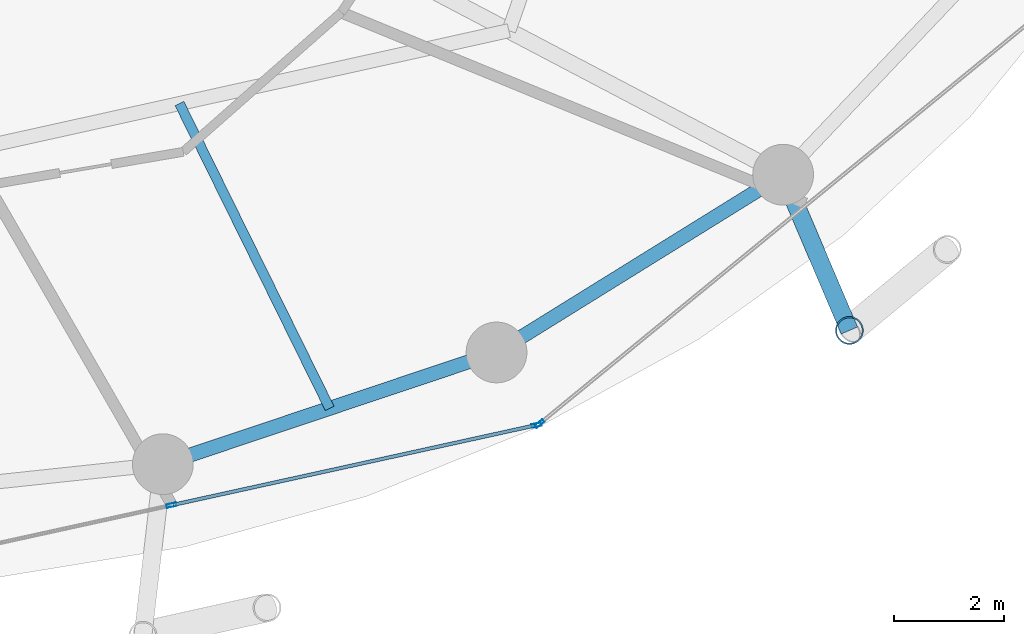
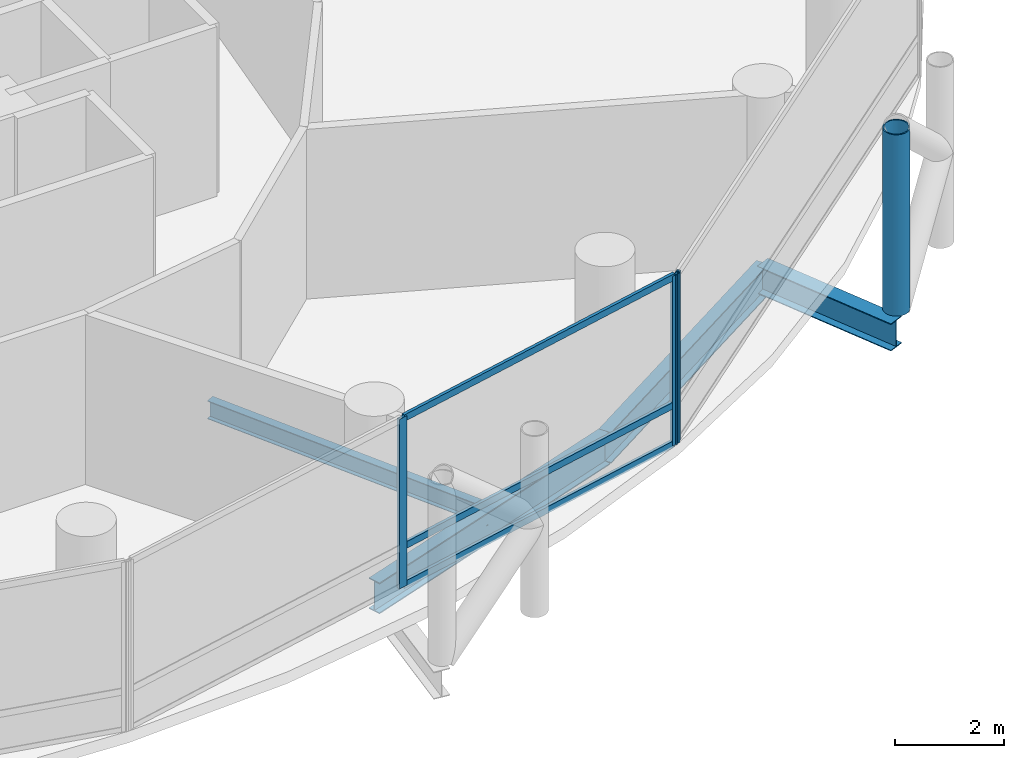
# One storey, part 8 of 24: 7 members, 4 beams, 2 elements without a shape of their own.
"""IFC4 building model written with IfcOpenShell, lengths in metres."""

import ifcopenshell
import ifcopenshell.guid

model = None  # the IFC model being written
_history = None  # IfcOwnerHistory: only IFC2X3 demands one
_inside = {}  # id of a spatial element -> (the spatial element, [elements in it])
_under = {}  # id of a project, library or spatial element -> (it, [spatial elements below it])
_declared = {}  # id of a project -> (the project, [libraries it declares])
_typed = {}  # id of a type object -> (the type object, [elements of that type])
_made_of = {}  # id of a material, layer set ... -> (it, [elements and type objects made of it])


def new_model(schema):
    """Start an empty IFC model of exactly this schema.

    Asked for "IFC4X3", IfcOpenShell would pick the latest addendum, in which some entities
    have other attributes; the version numbers below select the first issue.
    IFC2X3 requires an IfcOwnerHistory on every rooted entity: one is made here for all.
    """
    global model, _history
    if schema == "IFC4X3":
        model = ifcopenshell.file(schema_version=(4, 3, 0, 0))
    else:
        model = ifcopenshell.file(schema=schema)
    _inside.clear()
    _under.clear()
    _declared.clear()
    _typed.clear()
    _made_of.clear()
    _history = None
    if model.schema == "IFC2X3":
        org = make("IfcOrganization", Name="unknown")
        user = make(
            "IfcPersonAndOrganization",
            ThePerson=make("IfcPerson", FamilyName="unknown"),
            TheOrganization=org,
        )
        app = make(
            "IfcApplication",
            ApplicationDeveloper=org,
            Version="unknown",
            ApplicationFullName="unknown",
            ApplicationIdentifier="unknown",
        )
        _history = make(
            "IfcOwnerHistory",
            OwningUser=user,
            OwningApplication=app,
            ChangeAction="ADDED",
            CreationDate=0,
        )
    return model


def make(cls, **values):
    """One entity of the class cls with the attributes given. An attribute that is None is left unset."""
    return model.create_entity(
        cls, **{name: value for name, value in values.items() if value is not None}
    )


def rooted(cls, **values):
    """An entity with a GlobalId (a new one), such as an element, a storey or a relation."""
    return make(cls, GlobalId=ifcopenshell.guid.new(), OwnerHistory=_history, **values)


def si_unit(unit_type, name, prefix=None):
    """IfcSIUnit, for example si_unit("LENGTHUNIT", "METRE", prefix="MILLI")."""
    return make("IfcSIUnit", UnitType=unit_type, Prefix=prefix, Name=name)


def assignment(units):
    """IfcUnitAssignment: the units of a project."""
    return None if units is None else make("IfcUnitAssignment", Units=units)


def point(xyz):
    """IfcCartesianPoint."""
    return None if xyz is None else make("IfcCartesianPoint", Coordinates=xyz)


def direction(xyz):
    """IfcDirection."""
    return None if xyz is None else make("IfcDirection", DirectionRatios=xyz)


def frame(location, z_axis=None, x_axis=None):
    """IfcAxis2Placement3D, a coordinate frame: its origin and axes. An axis left out is left unset."""
    return make(
        "IfcAxis2Placement3D",
        Location=point(location),
        Axis=direction(z_axis),
        RefDirection=direction(x_axis),
    )


def frame_2d(location, x_axis=None):
    """IfcAxis2Placement2D, a coordinate frame in the plane: its origin and x axis."""
    return make(
        "IfcAxis2Placement2D", Location=point(location), RefDirection=direction(x_axis)
    )


def origin():
    """The frame at (0, 0, 0) with its axes left unset."""
    return frame((0.0, 0.0, 0.0))


def origin_2d():
    """The frame at (0, 0) in the plane with its x axis left unset."""
    return frame_2d((0.0, 0.0))


def place(relative_to, where):
    """IfcLocalPlacement: puts the frame where relative to a parent placement (None: the world)."""
    return make(
        "IfcLocalPlacement", PlacementRelTo=relative_to, RelativePlacement=where
    )


def context(
    kind, dimensions, precision=None, world=None, true_north=None, identifier=None
):
    """IfcGeometricRepresentationContext, for example the 3D "Model" context."""
    return make(
        "IfcGeometricRepresentationContext",
        ContextIdentifier=identifier,
        ContextType=kind,
        CoordinateSpaceDimension=dimensions,
        Precision=precision,
        WorldCoordinateSystem=world,
        TrueNorth=true_north,
    )


def subcontext(parent, identifier, kind, view, scale=None):
    """IfcGeometricRepresentationSubContext, for example "Body" below "Model"."""
    return make(
        "IfcGeometricRepresentationSubContext",
        ContextIdentifier=identifier,
        ContextType=kind,
        ParentContext=parent,
        TargetScale=scale,
        TargetView=view,
    )


def project(units=None, contexts=None):
    """IfcProject with its units and contexts."""
    return rooted(
        "IfcProject",
        Name="project",
        RepresentationContexts=contexts,
        UnitsInContext=assignment(units),
    )


def spatial(cls, under=None, at=None, **own):
    """A site, building, storey or space (cls), placed at a placement, below another one or the project."""
    s = rooted(cls, ObjectPlacement=at, **own)
    if under is not None:
        _under.setdefault(under.id(), (under, []))[1].append(s)
    return s


def profile(cls, at=None, kind="AREA", **sizes):
    """A parametric profile (cls). Its sizes go by their IFC names, for example OverallWidth=200.0."""
    return make(cls, ProfileType=kind, Position=at, **sizes)


def hollow_rectangle(**sizes):
    """IfcRectangleHollowProfileDef."""
    return profile("IfcRectangleHollowProfileDef", **sizes)


def hollow_circle(**sizes):
    """IfcCircleHollowProfileDef."""
    return profile("IfcCircleHollowProfileDef", **sizes)


def i_section(**sizes):
    """IfcIShapeProfileDef."""
    return profile("IfcIShapeProfileDef", **sizes)


def extrude(swept, where, along, depth):
    """IfcExtrudedAreaSolid: the profile swept, set in the frame where, extruded along a direction by depth."""
    return make(
        "IfcExtrudedAreaSolid",
        SweptArea=swept,
        Position=where,
        ExtrudedDirection=direction(along),
        Depth=depth,
    )


def shape(context_of_items, identifier, shape_type, items):
    """IfcShapeRepresentation: the items that make up one representation, for example the "Body"."""
    return make(
        "IfcShapeRepresentation",
        ContextOfItems=context_of_items,
        RepresentationIdentifier=identifier,
        RepresentationType=shape_type,
        Items=items,
    )


def material(Name=None, Category=None):
    """IfcMaterial."""
    return make("IfcMaterial", Name=Name, Category=Category)


def layer(
    of_material, thickness, ventilated=None, Name=None, Category=None, Priority=None
):
    """IfcMaterialLayer: one layer of a wall or slab, of a material (None: an air gap)."""
    return make(
        "IfcMaterialLayer",
        Material=of_material,
        LayerThickness=thickness,
        IsVentilated=ventilated,
        Name=Name,
        Category=Category,
        Priority=Priority,
    )


def layer_set(layers, Name=None):
    """IfcMaterialLayerSet."""
    return make("IfcMaterialLayerSet", MaterialLayers=layers, LayerSetName=Name)


def material_profile(
    of_material, cross_section, Name=None, Category=None, Priority=None
):
    """IfcMaterialProfile: a cross section and its material."""
    return make(
        "IfcMaterialProfile",
        Name=Name,
        Material=of_material,
        Profile=cross_section,
        Priority=Priority,
        Category=Category,
    )


def profile_set(profiles, Name=None, composite=None):
    """IfcMaterialProfileSet."""
    return make(
        "IfcMaterialProfileSet",
        Name=Name,
        MaterialProfiles=profiles,
        CompositeProfile=composite,
    )


def made_of(thing, what):
    """Note that an element or type object is made of a material, layer set ...; save() writes the relation."""
    if what is not None:
        _made_of.setdefault(what.id(), (what, []))[1].append(thing)
    return thing


def type_object(cls, material=None, **own):
    """A type object (cls), such as IfcWallType, which elements share."""
    return made_of(rooted(cls, **own), material)


def element(
    cls,
    number,
    at=None,
    inside=None,
    cuts=None,
    type_object=None,
    material=None,
    context=None,
    identifier="Body",
    shape_type=None,
    held_by="IfcProductDefinitionShape",
    body=None,
    shapes=None,
    **own,
):
    """One element of the class cls, such as IfcWall. Its Tag is "e" and its number.

    at: its placement. inside: the storey or other place that contains it. cuts: it is an
    opening in that element (IfcRelVoidsElement). A single representation is given by context,
    identifier, shape_type and body (its items); several are given by shapes. held_by: the class
    of the entity that holds the representations. save() writes the other relations.
    """
    e = rooted(cls, Tag="e%d" % number, ObjectPlacement=at, **own)
    if body is not None:
        shapes = [shape(context, identifier, shape_type, body)]
    if shapes is not None:
        e.Representation = make(held_by, Representations=shapes)
    if inside is not None:
        _inside.setdefault(inside.id(), (inside, []))[1].append(e)
    if cuts is not None:
        rooted(
            "IfcRelVoidsElement", RelatingBuildingElement=cuts, RelatedOpeningElement=e
        )
    if type_object is not None:
        _typed.setdefault(type_object.id(), (type_object, []))[1].append(e)
    return made_of(e, material)


def aggregate(whole, parts):
    """IfcRelAggregates: a whole, such as a stair, and the parts it consists of."""
    return rooted("IfcRelAggregates", RelatingObject=whole, RelatedObjects=parts)


def save(model, path):
    """Write the relations noted so far, then the file.

    IfcRelAggregates (storeys below a building ...), IfcRelContainedInSpatialStructure (elements
    in a storey), IfcRelDefinesByType, IfcRelAssociatesMaterial and IfcRelDeclares: one each for
    every whole, place, type object, material and project.
    """
    for whole, parts in _under.values():
        aggregate(whole, parts)
    for where, things in _inside.values():
        rooted(
            "IfcRelContainedInSpatialStructure",
            RelatedElements=things,
            RelatingStructure=where,
        )
    for kind, things in _typed.values():
        rooted("IfcRelDefinesByType", RelatedObjects=things, RelatingType=kind)
    for what, things in _made_of.values():
        rooted("IfcRelAssociatesMaterial", RelatedObjects=things, RelatingMaterial=what)
    for by, libraries in _declared.values():
        rooted("IfcRelDeclares", RelatingContext=by, RelatedDefinitions=libraries)
    model.write(path)


model = new_model("IFC4")

# Units and contexts
model_context = context("Model", 3, precision=1e-05, world=origin(), true_north=direction((0.0, 1.0)))
body_context = subcontext(model_context, "Body", "Model", "MODEL_VIEW")
ifc_project = project(units=[si_unit("LENGTHUNIT", "METRE"), si_unit("AREAUNIT", "SQUARE_METRE"), si_unit("VOLUMEUNIT", "CUBIC_METRE"), si_unit("PLANEANGLEUNIT", "RADIAN"), si_unit("MASSUNIT", "GRAM", prefix="KILO")], contexts=[model_context])

# Site, building, storey
site_placement = place(None, origin())
site = spatial("IfcSite", under=ifc_project, at=site_placement, CompositionType="ELEMENT")
building_placement = place(site_placement, origin())
building = spatial("IfcBuilding", under=site, at=building_placement, Name="Nuhasar Tower", CompositionType="ELEMENT")
storey_placement = place(building_placement, frame((0.0, 0.0, 25.050048828125)))
storey = spatial("IfcBuildingStorey", under=building, at=storey_placement, Name="L05", CompositionType="ELEMENT", Elevation=25.050048828125)

# Beams
ifc_material_1 = material(Name="Steel S355", Category="steel")
ifc_material_profile_1 = material_profile(ifc_material_1, i_section(OverallWidth=0.177978515625, OverallDepth=0.406005859375, WebThickness=0.0078125, FlangeThickness=0.0126953125, at=origin_2d()), Name="W16X40")
ifc_profile_set_1 = profile_set([ifc_material_profile_1], Name="Steel S355")
beam_type_1 = type_object("IfcBeamType", Name="BM-JST-W16X40", PredefinedType="JOIST", material=ifc_profile_set_1)
beam_1_placement = place(storey_placement, frame((45.783935546875, 13.77001953125, -0.463134765625), z_axis=(0.442126747458, -0.89695258469, 0.0), x_axis=(0.89695258469, 0.442126747458, 0.0)))
element("IfcBeam", 1, at=beam_1_placement, inside=storey, type_object=beam_type_1, Name="L05 Secondary Floor Joist 02", PredefinedType="JOIST", context=body_context, shape_type="SweptSolid", body=[
    extrude(i_section(OverallWidth=0.177978515625, OverallDepth=0.406005859375, WebThickness=0.0078125, FlangeThickness=0.0126953125, at=origin_2d()), origin(), (0.0, 0.0, 1.0), 6.152099609375),
])
ifc_material_profile_2 = material_profile(ifc_material_1, i_section(OverallWidth=0.256103515625, OverallDepth=0.693115234375, WebThickness=0.014404296875, FlangeThickness=0.023681640625, at=origin_2d()), Name="W27X114")
ifc_profile_set_2 = profile_set([ifc_material_profile_2], Name="Steel S355")
beam_type_2 = type_object("IfcBeamType", Name="BM-RING-W27X114", PredefinedType="SPANDREL", material=ifc_profile_set_2)
beam_2_placement = place(storey_placement, frame((45.48291015625, 7.239990234375, -0.60595703125), z_axis=(0.94826097201, 0.317491935271, 0.0), x_axis=(-0.317491935271, 0.94826097201, 0.0)))
element("IfcBeam", 2, at=beam_2_placement, inside=storey, type_object=beam_type_2, Name="L05 Perimeter Ring Spandrel 20", PredefinedType="SPANDREL", context=body_context, shape_type="SweptSolid", body=[
    extrude(i_section(OverallWidth=0.256103515625, OverallDepth=0.693115234375, WebThickness=0.014404296875, FlangeThickness=0.023681640625, at=origin_2d()), origin(), (0.0, 0.0, 1.0), 6.37158203125),
])
beam_3_placement = place(storey_placement, frame((51.52490234375, 9.262939453125, -0.60595703125), z_axis=(0.849795216549, 0.527112976439, 0.0), x_axis=(-0.527112976439, 0.849795216549, 0.0)))
element("IfcBeam", 3, at=beam_3_placement, inside=storey, type_object=beam_type_2, Name="L05 Perimeter Ring Spandrel 21", PredefinedType="SPANDREL", context=body_context, shape_type="SweptSolid", body=[
    extrude(i_section(OverallWidth=0.256103515625, OverallDepth=0.693115234375, WebThickness=0.014404296875, FlangeThickness=0.023681640625, at=origin_2d()), origin(), (0.0, 0.0, 1.0), 6.10498046875),
])
ifc_material_profile_3 = material_profile(ifc_material_1, i_section(OverallWidth=0.323974609375, OverallDepth=0.611083984375, WebThickness=0.0126953125, FlangeThickness=0.01904296875, at=origin_2d()), Name="W24X104")
ifc_profile_set_3 = profile_set([ifc_material_profile_3], Name="Steel S355")
beam_type_3 = type_object("IfcBeamType", Name="BM-TIE-W24X104", PredefinedType="BEAM", material=ifc_profile_set_3)
beam_4_placement = place(storey_placement, frame((56.712890625, 12.48095703125, -0.56494140625), z_axis=(0.391601084021, -0.920135093882, 0.0), x_axis=(0.920135093882, 0.391601084021, 0.0)))
element("IfcBeam", 4, at=beam_4_placement, inside=storey, type_object=beam_type_3, Name="L05 Exoskeleton Node Tie Beam 11", PredefinedType="BEAM", context=body_context, shape_type="SweptSolid", body=[
    extrude(i_section(OverallWidth=0.323974609375, OverallDepth=0.611083984375, WebThickness=0.0126953125, FlangeThickness=0.01904296875, at=origin_2d()), origin(), (0.0, 0.0, 1.0), 3.06494140625),
])

# Curtain wall, members
ifc_material_2 = material(Name="Aluminium 6063-T6", Category="aluminium")
ifc_layer = layer(ifc_material_2, 0.199951171875)
ifc_layer_set = layer_set([ifc_layer], Name="Aluminium 6063-T6")
curtain_wall_type = type_object("IfcCurtainWallType", Name="CW-Z1-OFF", PredefinedType="NOTDEFINED", material=ifc_layer_set)
curtain_wall_1_placement = place(storey_placement, origin())
curtain_wall_1 = element("IfcCurtainWall", 5, at=curtain_wall_1_placement, inside=storey, type_object=curtain_wall_type, Name="L05 Unitised Curtain Wall 10", PredefinedType="NOTDEFINED")
ifc_material_profile_4 = material_profile(ifc_material_2, hollow_rectangle(XDim=0.06494140625, YDim=0.179931640625, WallThickness=0.0048828125, at=origin_2d()), Name="CWM-2")
ifc_profile_set_4 = profile_set([ifc_material_profile_4], Name="Aluminium 6063-T6")
member_type_1 = type_object("IfcMemberType", Name="CW-MUL-S2", PredefinedType="MULLION", material=ifc_profile_set_4)
member_1_placement = place(storey_placement, frame((45.639892578125, 6.49755859375, 0.0), z_axis=(0.0, 0.0, 1.0), x_axis=(-0.214398737637, 0.976746221544, 0.0)))
member_1 = element("IfcMember", 6, at=member_1_placement, type_object=member_type_1, Name="CW-Z1 mullion 2", PredefinedType="MULLION", context=body_context, shape_type="SweptSolid", body=[
    extrude(hollow_rectangle(XDim=0.06494140625, YDim=0.179931640625, WallThickness=0.0048828125, at=origin_2d()), origin(), (0.0, 0.0, 1.0), 3.7900390625),
])
member_2_placement = place(storey_placement, frame((52.248291015625, 7.947998046875, 0.0), z_axis=(0.0, 0.0, 1.0), x_axis=(-0.214398737637, 0.976746221544, 0.0)))
member_2 = element("IfcMember", 7, at=member_2_placement, type_object=member_type_1, Name="CW-Z1 mullion 3", PredefinedType="MULLION", context=body_context, shape_type="SweptSolid", body=[
    extrude(hollow_rectangle(XDim=0.06494140625, YDim=0.179931640625, WallThickness=0.0048828125, at=origin_2d()), origin(), (0.0, 0.0, 1.0), 3.7900390625),
])

# Curtain wall, member
curtain_wall_2_placement = place(storey_placement, origin())
curtain_wall_2 = element("IfcCurtainWall", 8, at=curtain_wall_2_placement, inside=storey, type_object=curtain_wall_type, Name="L05 Unitised Curtain Wall 11", PredefinedType="NOTDEFINED")
member_3_placement = place(storey_placement, frame((52.30517578125, 7.9755859375, 0.0), z_axis=(0.0, 0.0, 1.0), x_axis=(-0.633744593376, 0.773542364946, 0.0)))
member_3 = element("IfcMember", 9, at=member_3_placement, type_object=member_type_1, Name="CW-Z1 mullion 1", PredefinedType="MULLION", context=body_context, shape_type="SweptSolid", body=[
    extrude(hollow_rectangle(XDim=0.06494140625, YDim=0.179931640625, WallThickness=0.0048828125, at=origin_2d()), origin(), (0.0, 0.0, 1.0), 3.7900390625),
])
aggregate(curtain_wall_2, [member_3])

# Member
ifc_material_profile_5 = material_profile(ifc_material_2, hollow_rectangle(XDim=0.06494140625, YDim=0.14990234375, WallThickness=0.00439453125, at=origin_2d()), Name="CWT-2")
ifc_profile_set_5 = profile_set([ifc_material_profile_5], Name="Aluminium 6063-T6")
member_type_2 = type_object("IfcMemberType", Name="CW-TRN-S2", PredefinedType="USERDEFINED", material=ifc_profile_set_5)
member_4_placement = place(storey_placement, frame((45.671630859375, 6.50439453125, 0.032470703125), z_axis=(0.976741923778, 0.214418316228, 0.0), x_axis=(-0.214418316228, 0.976741923778, 0.0)))
member_4 = element("IfcMember", 10, at=member_4_placement, type_object=member_type_2, Name="CW-Z1 transom 2.1", ObjectType="TRANSOM", PredefinedType="USERDEFINED", context=body_context, shape_type="SweptSolid", body=[
    extrude(hollow_rectangle(XDim=0.06494140625, YDim=0.14990234375, WallThickness=0.00439453125, at=origin_2d()), origin(), (0.0, 0.0, 1.0), 6.70068359375),
])

member_5_placement = place(storey_placement, frame((45.671630859375, 6.50439453125, 0.89990234375), z_axis=(0.976741923778, 0.214418316228, 0.0), x_axis=(-0.214418316228, 0.976741923778, 0.0)))
member_5 = element("IfcMember", 11, at=member_5_placement, type_object=member_type_2, Name="CW-Z1 transom 2.2", ObjectType="TRANSOM", PredefinedType="USERDEFINED", context=body_context, shape_type="SweptSolid", body=[
    extrude(hollow_rectangle(XDim=0.06494140625, YDim=0.14990234375, WallThickness=0.00439453125, at=origin_2d()), origin(), (0.0, 0.0, 1.0), 6.70068359375),
])

member_6_placement = place(storey_placement, frame((45.671630859375, 6.50439453125, 3.757568359375), z_axis=(0.976741923778, 0.214418316228, 0.0), x_axis=(-0.214418316228, 0.976741923778, 0.0)))
member_6 = element("IfcMember", 12, at=member_6_placement, type_object=member_type_2, Name="CW-Z1 transom 2.3", ObjectType="TRANSOM", PredefinedType="USERDEFINED", context=body_context, shape_type="SweptSolid", body=[
    extrude(hollow_rectangle(XDim=0.06494140625, YDim=0.14990234375, WallThickness=0.00439453125, at=origin_2d()), origin(), (0.0, 0.0, 1.0), 6.70068359375),
])

aggregate(curtain_wall_1, [member_1, member_2, member_4, member_5, member_6])

ifc_material_3 = material(Name="Steel S460", Category="steel")
ifc_material_profile_6 = material_profile(ifc_material_3, hollow_circle(Radius=0.25390625, WallThickness=0.025390625, at=origin_2d()), Name="HSS508X25.4")
ifc_profile_set_6 = profile_set([ifc_material_profile_6], Name="Steel S460")
member_type_3 = type_object("IfcMemberType", Name="EXO-BRONZE-508", PredefinedType="BRACE", material=ifc_profile_set_6)
member_7_placement = place(storey_placement, frame((57.9130859375, 9.660888671875, 0.0), z_axis=(0.0, 0.0, 1.0), x_axis=(1.0, 0.0, 0.0)))
element("IfcMember", 13, at=member_7_placement, inside=storey, type_object=member_type_3, Name="L05 Exoskeleton Chord Column EC-11A", PredefinedType="BRACE", context=body_context, shape_type="SweptSolid", body=[
    extrude(hollow_circle(Radius=0.25390625, WallThickness=0.025390625, at=origin_2d()), origin(), (0.0, 0.0, 1.0), 4.050048828125),
])

save(model, "model.ifc")
